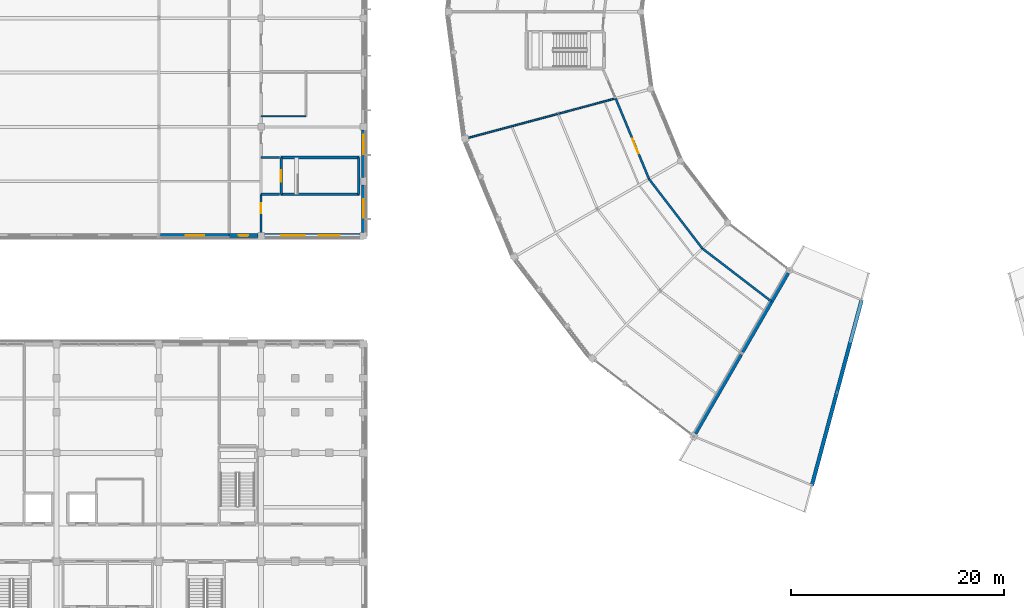
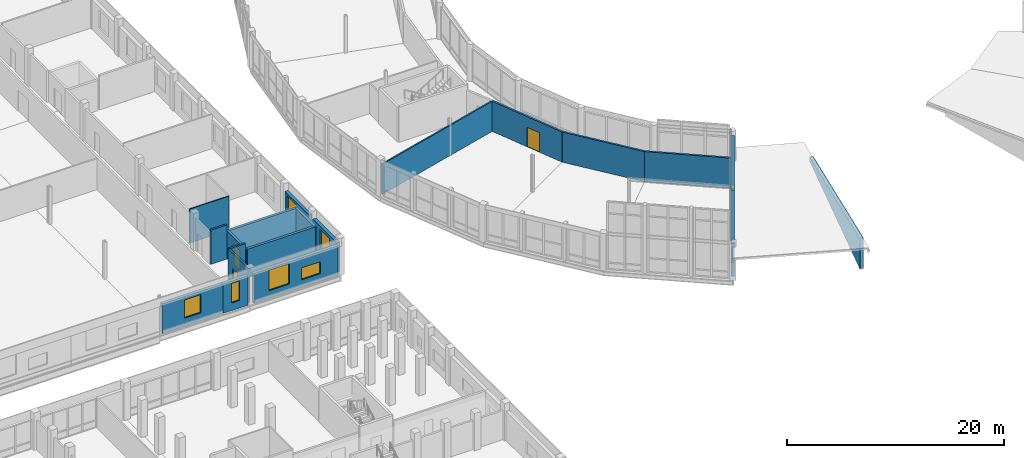
# One storey, part 158 of 185: 20 walls, 6 windows, 3 doors, 9 openings.
"""IFC4 building model written with IfcOpenShell, lengths in metres."""

from ifc_helpers import new_model, si_unit, direction, frame, frame_2d, origin, place, context, subcontext, project, spatial, polyline, rectangle, outline, extrude, material, layer, layer_set, type_object, element, fill, save


model = new_model("IFC4")

# Units and contexts
model_context = context("Model", 3, precision=1e-05, world=origin(), true_north=direction((0.0, 1.0)))
body_context = subcontext(model_context, "Body", "Model", "MODEL_VIEW")
ifc_project = project(units=[si_unit("LENGTHUNIT", "METRE"), si_unit("AREAUNIT", "SQUARE_METRE"), si_unit("VOLUMEUNIT", "CUBIC_METRE"), si_unit("PLANEANGLEUNIT", "RADIAN"), si_unit("MASSUNIT", "GRAM", prefix="KILO")], contexts=[model_context])

# Site, building, storey
site_placement = place(None, origin())
site = spatial("IfcSite", under=ifc_project, at=site_placement, CompositionType="ELEMENT")
building_placement = place(site_placement, origin())
building = spatial("IfcBuilding", under=site, at=building_placement, Name="Vondelvale Polytechnic", CompositionType="ELEMENT")
storey_placement = place(building_placement, frame((0.0, 0.0, 9.60009765625)))
storey = spatial("IfcBuildingStorey", under=building, at=storey_placement, Name="L02", CompositionType="ELEMENT", Elevation=9.60009765625)

# Wall, opening, window
ifc_material_1 = material(Name="Amsterdam School iron-spot clinker clay brickwork", Category="masonry")
ifc_layer_1 = layer(ifc_material_1, 0.35009765625)
ifc_layer_set_1 = layer_set([ifc_layer_1], Name="WL-BRICK-350")
wall_type_1 = type_object("IfcWallType", Name="WL-BRICK-350", PredefinedType="SOLIDWALL", material=ifc_layer_set_1)
wall_1_placement = place(storey_placement, frame((48.0, 55.7490234375, 0.0), z_axis=(0.0, 0.0, 1.0), x_axis=(0.0, -1.0, 0.0)))
wall_1 = element("IfcWall", 1, at=wall_1_placement, inside=storey, type_object=wall_type_1, Name="L02 exterior masonry facade wall", PredefinedType="SOLIDWALL", context=body_context, shape_type="SweptSolid", body=[
    extrude(rectangle(XDim=4.447998046875, YDim=0.35009765625, at=frame_2d((2.22412109375, 0.0))), origin(), (0.0, 0.0, 1.0), 3.31982421875),
])
opening_1_placement = place(wall_1_placement, frame((1.34912109375, 0.0, 0.949951171875)))
opening_1 = element("IfcOpeningElement", 2, at=opening_1_placement, cuts=wall_1, Name="Opening WN-0092", PredefinedType="OPENING", context=body_context, shape_type="SweptSolid", body=[
    extrude(rectangle(XDim=1.75, YDim=2.050048828125, at=frame_2d((0.875, 1.02490234375))), frame((0.0, 0.18505859375, 0.0), z_axis=(0.0, -1.0, 0.0), x_axis=(1.0, 0.0, 0.0)), (0.0, 0.0, 1.0), 0.3701171875),
])
ifc_material_2 = material(Name="Double-glazed low-E insulated architectural glass", Category="glass")
window_type_1 = type_object("IfcWindowType", Name="WN-LAB-1750x2050", PartitioningType="SINGLE_PANEL", PredefinedType="WINDOW", material=ifc_material_2)
window_1_placement = place(opening_1_placement, origin())
window_1 = element("IfcWindow", 3, at=window_1_placement, inside=storey, type_object=window_type_1, Name="L02 double-glazed architectural window WN-0092", OverallHeight=2.050048828125, OverallWidth=1.75, PartitioningType="SINGLE_PANEL", PredefinedType="WINDOW", context=body_context, shape_type="SweptSolid", body=[
    extrude(rectangle(XDim=1.75, YDim=2.050048828125, at=frame_2d((0.875, 1.02490234375))), frame((0.0, 0.030029296875, 0.0), z_axis=(0.0, -1.0, 0.0), x_axis=(1.0, 0.0, 0.0)), (0.0, 0.0, 1.0), 0.06005859375),
])
fill(opening_1, window_1)

wall_2_placement = place(storey_placement, frame((48.0, 60.89892578125, 0.0), z_axis=(0.0, 0.0, 1.0), x_axis=(0.0, -1.0, 0.0)))
wall_2 = element("IfcWall", 4, at=wall_2_placement, inside=storey, type_object=wall_type_1, Name="L02 exterior masonry facade wall", PredefinedType="SOLIDWALL", context=body_context, shape_type="SweptSolid", body=[
    extrude(rectangle(XDim=4.447998046875, YDim=0.35009765625, at=frame_2d((2.22412109375, 0.0))), origin(), (0.0, 0.0, 1.0), 3.31982421875),
])
opening_2_placement = place(wall_2_placement, frame((0.4541015625, 0.0, 0.949951171875)))
opening_2 = element("IfcOpeningElement", 5, at=opening_2_placement, cuts=wall_2, Name="Opening WN-0093", PredefinedType="OPENING", context=body_context, shape_type="SweptSolid", body=[
    extrude(rectangle(XDim=1.800048828125, YDim=2.10009765625, at=frame_2d((0.89990234375, 1.050048828125))), frame((0.0, 0.18505859375, 0.0), z_axis=(0.0, -1.0, 0.0), x_axis=(1.0, 0.0, 0.0)), (0.0, 0.0, 1.0), 0.3701171875),
])
window_type_2 = type_object("IfcWindowType", Name="WN-LAB-1800x2100", PartitioningType="SINGLE_PANEL", PredefinedType="WINDOW", material=ifc_material_2)
window_2_placement = place(opening_2_placement, origin())
window_2 = element("IfcWindow", 6, at=window_2_placement, inside=storey, type_object=window_type_2, Name="L02 double-glazed architectural window WN-0093", OverallHeight=2.10009765625, OverallWidth=1.800048828125, PartitioningType="SINGLE_PANEL", PredefinedType="WINDOW", context=body_context, shape_type="SweptSolid", body=[
    extrude(rectangle(XDim=1.800048828125, YDim=2.10009765625, at=frame_2d((0.89990234375, 1.050048828125))), frame((0.0, 0.030029296875, 0.0), z_axis=(0.0, -1.0, 0.0), x_axis=(1.0, 0.0, 0.0)), (0.0, 0.0, 1.0), 0.06005859375),
])
fill(opening_2, window_2)

wall_3_placement = place(storey_placement, frame((35.39990234375, 51.0, 0.0), z_axis=(0.0, 0.0, 1.0), x_axis=(-1.0, 0.0, 0.0)))
wall_3 = element("IfcWall", 7, at=wall_3_placement, inside=storey, type_object=wall_type_1, Name="L02 exterior masonry facade wall", PredefinedType="SOLIDWALL", context=body_context, shape_type="SweptSolid", body=[
    extrude(rectangle(XDim=6.435302734375, YDim=0.35009765625, at=frame_2d((3.2177734375, 0.0))), origin(), (0.0, 0.0, 1.0), 3.31982421875),
])
opening_3_placement = place(wall_3_placement, frame((2.3427734375, 0.0, 0.89990234375)))
opening_3 = element("IfcOpeningElement", 8, at=opening_3_placement, cuts=wall_3, Name="Opening WN-0112", PredefinedType="OPENING", context=body_context, shape_type="SweptSolid", body=[
    extrude(rectangle(XDim=1.75, YDim=2.050048828125, at=frame_2d((0.875, 1.02490234375))), frame((0.0, 0.18505859375, 0.0), z_axis=(0.0, -1.0, 0.0), x_axis=(1.0, 0.0, 0.0)), (0.0, 0.0, 1.0), 0.3701171875),
])
window_3_placement = place(opening_3_placement, origin())
window_3 = element("IfcWindow", 9, at=window_3_placement, inside=storey, type_object=window_type_1, Name="L02 double-glazed architectural window WN-0112", OverallHeight=2.050048828125, OverallWidth=1.75, PartitioningType="SINGLE_PANEL", PredefinedType="WINDOW", context=body_context, shape_type="SweptSolid", body=[
    extrude(rectangle(XDim=1.75, YDim=2.050048828125, at=frame_2d((0.875, 1.02490234375))), frame((0.0, 0.030029296875, 0.0), z_axis=(0.0, -1.0, 0.0), x_axis=(1.0, 0.0, 0.0)), (0.0, 0.0, 1.0), 0.06005859375),
])
fill(opening_3, window_3)

wall_4_placement = place(storey_placement, frame((38.09912109375, 51.0, 0.0), z_axis=(0.0, 0.0, 1.0), x_axis=(-1.0, 0.0, 0.0)))
wall_4 = element("IfcWall", 10, at=wall_4_placement, inside=storey, type_object=wall_type_1, Name="L02 exterior masonry facade wall", PredefinedType="SOLIDWALL", context=body_context, shape_type="SweptSolid", body=[
    extrude(rectangle(XDim=2.69921875, YDim=0.35009765625, at=frame_2d((1.349609375, 0.0))), origin(), (0.0, 0.0, 1.0), 3.31982421875),
])
opening_4_placement = place(wall_4_placement, frame((0.8994140625, 0.0, 0.85009765625)))
opening_4 = element("IfcOpeningElement", 11, at=opening_4_placement, cuts=wall_4, Name="Opening WN-0113", PredefinedType="OPENING", context=body_context, shape_type="SweptSolid", body=[
    extrude(rectangle(XDim=0.89990234375, YDim=2.199951171875, at=frame_2d((0.449951171875, 1.10009765625))), frame((0.0, 0.18505859375, 0.0), z_axis=(0.0, -1.0, 0.0), x_axis=(1.0, 0.0, 0.0)), (0.0, 0.0, 1.0), 0.3701171875),
])
window_type_3 = type_object("IfcWindowType", Name="WN-TUR-0900x2200", PartitioningType="SINGLE_PANEL", PredefinedType="WINDOW", material=ifc_material_2)
window_4_placement = place(opening_4_placement, origin())
window_4 = element("IfcWindow", 12, at=window_4_placement, inside=storey, type_object=window_type_3, Name="L02 double-glazed architectural window WN-0113", OverallHeight=2.199951171875, OverallWidth=0.89990234375, PartitioningType="SINGLE_PANEL", PredefinedType="WINDOW", context=body_context, shape_type="SweptSolid", body=[
    extrude(rectangle(XDim=0.89990234375, YDim=2.199951171875, at=frame_2d((0.449951171875, 1.10009765625))), frame((0.0, 0.030029296875, 0.0), z_axis=(0.0, -1.0, 0.0), x_axis=(1.0, 0.0, 0.0)), (0.0, 0.0, 1.0), 0.06005859375),
])
fill(opening_4, window_4)

# Wall, openings, windows
wall_5_placement = place(storey_placement, frame((47.698974609375, 51.0, 0.0), z_axis=(0.0, 0.0, 1.0), x_axis=(-1.0, 0.0, 0.0)))
wall_5 = element("IfcWall", 13, at=wall_5_placement, inside=storey, type_object=wall_type_1, Name="L02 exterior masonry facade wall", PredefinedType="SOLIDWALL", context=body_context, shape_type="SweptSolid", body=[
    extrude(rectangle(XDim=8.998046875, YDim=0.35009765625, at=frame_2d((4.4990234375, 0.0))), origin(), (0.0, 0.0, 1.0), 3.31982421875),
])
opening_5_placement = place(wall_5_placement, frame((5.197998046875, 0.0, 0.85009765625)))
opening_5 = element("IfcOpeningElement", 14, at=opening_5_placement, cuts=wall_5, Name="Opening WN-0114", PredefinedType="OPENING", context=body_context, shape_type="SweptSolid", body=[
    extrude(rectangle(XDim=2.199951171875, YDim=2.300048828125, at=frame_2d((1.10009765625, 1.14990234375))), frame((0.0, 0.18505859375, 0.0), z_axis=(0.0, -1.0, 0.0), x_axis=(1.0, 0.0, 0.0)), (0.0, 0.0, 1.0), 0.3701171875),
])
opening_6_placement = place(wall_5_placement, frame((1.89794921875, 0.0, 0.85009765625)))
opening_6 = element("IfcOpeningElement", 15, at=opening_6_placement, cuts=wall_5, Name="Opening WN-0115", PredefinedType="OPENING", context=body_context, shape_type="SweptSolid", body=[
    extrude(rectangle(XDim=2.0, YDim=1.35009765625, at=frame_2d((1.0, 0.675048828125))), frame((0.0, 0.18505859375, 0.0), z_axis=(0.0, -1.0, 0.0), x_axis=(1.0, 0.0, 0.0)), (0.0, 0.0, 1.0), 0.3701171875),
])
window_type_4 = type_object("IfcWindowType", Name="WN-RIB-2000x1350", PartitioningType="SINGLE_PANEL", PredefinedType="WINDOW", material=ifc_material_2)
window_5_placement = place(opening_6_placement, origin())
window_5 = element("IfcWindow", 16, at=window_5_placement, inside=storey, type_object=window_type_4, Name="L02 double-glazed architectural window WN-0115", OverallHeight=1.35009765625, OverallWidth=2.0, PartitioningType="SINGLE_PANEL", PredefinedType="WINDOW", context=body_context, shape_type="SweptSolid", body=[
    extrude(rectangle(XDim=2.0, YDim=1.35009765625, at=frame_2d((1.0, 0.675048828125))), frame((0.0, 0.030029296875, 0.0), z_axis=(0.0, -1.0, 0.0), x_axis=(1.0, 0.0, 0.0)), (0.0, 0.0, 1.0), 0.06005859375),
])
fill(opening_6, window_5)
window_type_5 = type_object("IfcWindowType", Name="WN-STUDIO-2200x2300", PartitioningType="SINGLE_PANEL", PredefinedType="WINDOW", material=ifc_material_2)
window_6_placement = place(opening_5_placement, origin())
window_6 = element("IfcWindow", 17, at=window_6_placement, inside=storey, type_object=window_type_5, Name="L02 double-glazed architectural window WN-0114", OverallHeight=2.300048828125, OverallWidth=2.199951171875, PartitioningType="SINGLE_PANEL", PredefinedType="WINDOW", context=body_context, shape_type="SweptSolid", body=[
    extrude(rectangle(XDim=2.199951171875, YDim=2.300048828125, at=frame_2d((1.10009765625, 1.14990234375))), frame((0.0, 0.030029296875, 0.0), z_axis=(0.0, -1.0, 0.0), x_axis=(1.0, 0.0, 0.0)), (0.0, 0.0, 1.0), 0.06005859375),
])
fill(opening_5, window_6)

# Walls
wall_6_placement = place(storey_placement, frame((79.150390625, 32.423583984375, 0.0), z_axis=(0.0, 0.0, 1.0), x_axis=(0.500025017116, 0.866010959664, 0.0)))
element("IfcWall", 18, at=wall_6_placement, inside=storey, type_object=wall_type_1, Name="L02 exterior masonry facade wall", PredefinedType="SOLIDWALL", context=body_context, shape_type="SweptSolid", body=[
    extrude(rectangle(XDim=8.56787109375, YDim=0.35009765625, at=frame_2d((4.283935546875, 0.0))), origin(), (0.0, 0.0, 1.0), 3.760009765625),
])
wall_7_placement = place(storey_placement, frame((83.5654296875, 40.070556640625, 0.0), z_axis=(0.0, 0.0, 1.0), x_axis=(0.500006065605, 0.866021901777, 0.0)))
element("IfcWall", 19, at=wall_7_placement, inside=storey, type_object=wall_type_1, Name="L02 exterior masonry facade wall", PredefinedType="SOLIDWALL", context=body_context, shape_type="SweptSolid", body=[
    extrude(rectangle(XDim=8.5693359375, YDim=0.35009765625, at=frame_2d((4.28466796875, 0.0))), origin(), (0.0, 0.0, 1.0), 3.760009765625),
])
wall_8_placement = place(storey_placement, frame((94.753173828125, 44.9541015625, 0.02001953125), z_axis=(0.0, 0.0, 1.0), x_axis=(-0.258828286985, -0.965923349887, 0.0)))
element("IfcWall", 20, at=wall_8_placement, inside=storey, type_object=wall_type_1, Name="Ring South entrance portal raking brick gable R17", PredefinedType="SOLIDWALL", context=body_context, shape_type="SweptSolid", body=[
    extrude(outline(polyline([(0.0, 0.0), (18.0, 0.0), (18.0, 3.451171875), (0.0, 0.503173828125), (0.0, 0.0)])), frame((0.0, 0.175048828125, 0.0), z_axis=(0.0, -1.0, 0.0), x_axis=(1.0, 0.0, 0.0)), (0.0, 0.0, 1.0), 0.35009765625),
])
ifc_material_3 = material(Name="Concrete N40 (f'c = 40 MPa)", Category="concrete")
ifc_layer_2 = layer(ifc_material_3, 0.25)
ifc_layer_set_2 = layer_set([ifc_layer_2], Name="WL-CORE-250")
wall_type_2 = type_object("IfcWallType", Name="WL-CORE-250", PredefinedType="SOLIDWALL", material=ifc_layer_set_2)
wall_9_placement = place(storey_placement, frame((40.27490234375, 54.875, 0.0), z_axis=(0.0, 0.0, 1.0), x_axis=(1.0, 0.0, 0.0)))
element("IfcWall", 21, at=wall_9_placement, inside=storey, type_object=wall_type_2, Name="L02 ST-01 reinforced concrete stair core wall", PredefinedType="SOLIDWALL", context=body_context, shape_type="SweptSolid", body=[
    extrude(rectangle(XDim=7.300048828125, YDim=0.25, at=frame_2d((3.64990234375, 0.0))), origin(), (0.0, 0.0, 1.0), 3.14990234375),
])
wall_10_placement = place(storey_placement, frame((47.574951171875, 54.875, 0.0), z_axis=(0.0, 0.0, 1.0), x_axis=(0.0, 1.0, 0.0)))
element("IfcWall", 22, at=wall_10_placement, inside=storey, type_object=wall_type_2, Name="L02 ST-01 reinforced concrete stair core wall", PredefinedType="SOLIDWALL", context=body_context, shape_type="SweptSolid", body=[
    extrude(rectangle(XDim=3.449951171875, YDim=0.25, at=frame_2d((1.72509765625, 0.0))), origin(), (0.0, 0.0, 1.0), 3.14990234375),
])
wall_11_placement = place(storey_placement, frame((47.574951171875, 58.324951171875, 0.0), z_axis=(0.0, 0.0, 1.0), x_axis=(-1.0, 0.0, 0.0)))
element("IfcWall", 23, at=wall_11_placement, inside=storey, type_object=wall_type_2, Name="L02 ST-01 reinforced concrete stair core wall", PredefinedType="SOLIDWALL", context=body_context, shape_type="SweptSolid", body=[
    extrude(rectangle(XDim=7.300048828125, YDim=0.25, at=frame_2d((3.64990234375, 0.0))), origin(), (0.0, 0.0, 1.0), 3.14990234375),
])

# Wall, opening, door
wall_12_placement = place(storey_placement, frame((40.27490234375, 58.324951171875, 0.0), z_axis=(0.0, 0.0, 1.0), x_axis=(0.0, -1.0, 0.0)))
wall_12 = element("IfcWall", 24, at=wall_12_placement, inside=storey, type_object=wall_type_2, Name="L02 ST-01 reinforced concrete stair core wall", PredefinedType="SOLIDWALL", context=body_context, shape_type="SweptSolid", body=[
    extrude(rectangle(XDim=3.449951171875, YDim=0.25, at=frame_2d((1.72509765625, 0.0))), origin(), (0.0, 0.0, 1.0), 3.14990234375),
])
opening_7_placement = place(wall_12_placement, frame((1.175048828125, 0.0, 0.0)))
opening_7 = element("IfcOpeningElement", 25, at=opening_7_placement, cuts=wall_12, Name="Opening SD-004", PredefinedType="OPENING", context=body_context, shape_type="SweptSolid", body=[
    extrude(rectangle(XDim=1.10009765625, YDim=2.199951171875, at=frame_2d((0.550048828125, 1.10009765625))), frame((0.0, 0.135009765625, 0.0), z_axis=(0.0, -1.0, 0.0), x_axis=(1.0, 0.0, 0.0)), (0.0, 0.0, 1.0), 0.27001953125),
])
ifc_material_4 = material(Name="Brushed architectural stainless and zinc-coated metal")
door_type_1 = type_object("IfcDoorType", Name="DR-STAIR-1100x2200", OperationType="SINGLE_SWING_LEFT", PredefinedType="DOOR", material=ifc_material_4)
door_1_placement = place(opening_7_placement, origin())
door_1 = element("IfcDoor", 26, at=door_1_placement, inside=storey, type_object=door_type_1, Name="L02 ST-01 fire-isolated stair door", OperationType="SINGLE_SWING_RIGHT", OverallHeight=2.199951171875, OverallWidth=1.10009765625, PredefinedType="DOOR", context=body_context, shape_type="SweptSolid", body=[
    extrude(rectangle(XDim=1.10009765625, YDim=2.199951171875, at=frame_2d((0.550048828125, 1.10009765625))), frame((0.0, 0.02490234375, 0.0), z_axis=(0.0, -1.0, 0.0), x_axis=(1.0, 0.0, 0.0)), (0.0, 0.0, 1.0), 0.050048828125),
])
fill(opening_7, door_1)

ifc_material_5 = material(Name="Fire-rated double-layer plasterboard stud partition")
ifc_layer_3 = layer(ifc_material_5, 0.199951171875)
ifc_layer_set_3 = layer_set([ifc_layer_3], Name="WL-CORR-200")
wall_type_3 = type_object("IfcWallType", Name="WL-CORR-200", PredefinedType="PARTITIONING", material=ifc_layer_set_3)
wall_13_placement = place(storey_placement, frame((38.39990234375, 51.14990234375, 0.0), z_axis=(0.0, 0.0, 1.0), x_axis=(0.0, 1.0, 0.0)))
wall_13 = element("IfcWall", 27, at=wall_13_placement, inside=storey, type_object=wall_type_3, Name="L02 interior acoustic partition", PredefinedType="PARTITIONING", context=body_context, shape_type="SweptSolid", body=[
    extrude(rectangle(XDim=3.72509765625, YDim=0.199951171875, at=frame_2d((1.862548828125, 0.0))), origin(), (0.0, 0.0, 1.0), 3.849853515625),
])
opening_8_placement = place(wall_13_placement, frame((1.949951171875, 0.0, 0.0)))
opening_8 = element("IfcOpeningElement", 28, at=opening_8_placement, cuts=wall_13, Name="Opening ID-0120", PredefinedType="OPENING", context=body_context, shape_type="SweptSolid", body=[
    extrude(rectangle(XDim=0.919921875, YDim=2.10009765625, at=frame_2d((0.4599609375, 1.050048828125))), frame((0.0, 0.10986328125, 0.0), z_axis=(0.0, -1.0, 0.0), x_axis=(1.0, 0.0, 0.0)), (0.0, 0.0, 1.0), 0.219970703125),
])
ifc_material_6 = material(Name="Fire-rated solid Tasmanian oak joinery")
door_type_2 = type_object("IfcDoorType", Name="DR-INT-0920x2100", OperationType="SINGLE_SWING_LEFT", PredefinedType="DOOR", material=ifc_material_6)
door_2_placement = place(opening_8_placement, origin())
door_2 = element("IfcDoor", 29, at=door_2_placement, inside=storey, type_object=door_type_2, Name="L02 interior room door ID-0120", OperationType="SINGLE_SWING_RIGHT", OverallHeight=2.10009765625, OverallWidth=0.919921875, PredefinedType="DOOR", context=body_context, shape_type="SweptSolid", body=[
    extrude(rectangle(XDim=0.919921875, YDim=2.10009765625, at=frame_2d((0.4599609375, 1.050048828125))), frame((0.0, 0.02490234375, 0.0), z_axis=(0.0, -1.0, 0.0), x_axis=(1.0, 0.0, 0.0)), (0.0, 0.0, 1.0), 0.050048828125),
])
fill(opening_8, door_2)

# Walls
for number, where, z_axis, x_axis, name in (
    (30, (38.39990234375, 54.875, 0.0), (0.0, 0.0, 1.0), (1.0, 0.0, 0.0), "L02 interior acoustic partition"),
    (31, (38.39990234375, 58.324951171875, 0.0), (0.0, 0.0, 1.0), (1.0, 0.0, 0.0), "L02 interior acoustic partition"),
):
    element("IfcWall", number, at=place(storey_placement, frame(where, z_axis=z_axis, x_axis=x_axis)), inside=storey, type_object=wall_type_3, Name=name, PredefinedType="PARTITIONING", context=body_context, shape_type="SweptSolid", body=[
        extrude(rectangle(XDim=1.710205078125, YDim=0.199951171875, at=frame_2d((0.85498046875, 0.0))), origin(), (0.0, 0.0, 1.0), 3.849853515625),
    ])

# Wall, opening, door
wall_14_placement = place(storey_placement, frame((71.669921875, 63.873046875, 0.0), z_axis=(0.0, 0.0, 1.0), x_axis=(0.382696385238, -0.923874167149, 0.0)))
wall_14 = element("IfcWall", 32, at=wall_14_placement, inside=storey, type_object=wall_type_3, Name="L02 interior acoustic partition", PredefinedType="PARTITIONING", context=body_context, shape_type="SweptSolid", body=[
    extrude(rectangle(XDim=8.197021484375, YDim=0.199951171875, at=frame_2d((4.0986328125, 0.0))), origin(), (0.0, 0.0, 1.0), 3.40185546875),
])
opening_9_placement = place(wall_14_placement, frame((4.10009765625, 0.0, 0.0)))
opening_9 = element("IfcOpeningElement", 33, at=opening_9_placement, cuts=wall_14, Name="Opening ID-0341", PredefinedType="OPENING", context=body_context, shape_type="SweptSolid", body=[
    extrude(rectangle(XDim=1.5, YDim=2.199951171875, at=frame_2d((0.75, 1.10009765625))), frame((0.0, 0.10986328125, 0.0), z_axis=(0.0, -1.0, 0.0), x_axis=(1.0, 0.0, 0.0)), (0.0, 0.0, 1.0), 0.219970703125),
])
door_type_3 = type_object("IfcDoorType", Name="DR-LAB-1500x2200", OperationType="DOUBLE_DOOR_SINGLE_SWING", PredefinedType="DOOR", material=ifc_material_6)
door_3_placement = place(opening_9_placement, origin())
door_3 = element("IfcDoor", 34, at=door_3_placement, inside=storey, type_object=door_type_3, Name="L02 interior room door ID-0341", OperationType="DOUBLE_DOOR_SINGLE_SWING", OverallHeight=2.199951171875, OverallWidth=1.5, PredefinedType="DOOR", context=body_context, shape_type="SweptSolid", body=[
    extrude(rectangle(XDim=1.5, YDim=2.199951171875, at=frame_2d((0.75, 1.10009765625))), frame((0.0, 0.02490234375, 0.0), z_axis=(0.0, -1.0, 0.0), x_axis=(1.0, 0.0, 0.0)), (0.0, 0.0, 1.0), 0.050048828125),
])
fill(opening_9, door_3)

# Walls
for number, where, z_axis, x_axis, name in (
    (35, (74.806884765625, 56.300048828125, 0.0), (0.0, 0.0, 1.0), (0.608756011694, -0.793357497113, 0.0), "L02 interior acoustic partition"),
    (36, (79.796875, 49.796875, 0.0), (0.0, 0.0, 1.0), (0.793357497113, -0.608756011694, 0.0), "L02 interior acoustic partition"),
):
    element("IfcWall", number, at=place(storey_placement, frame(where, z_axis=z_axis, x_axis=x_axis)), inside=storey, type_object=wall_type_3, Name=name, PredefinedType="PARTITIONING", context=body_context, shape_type="SweptSolid", body=[
        extrude(rectangle(XDim=8.197021484375, YDim=0.199951171875, at=frame_2d((4.0986328125, 0.0))), origin(), (0.0, 0.0, 1.0), 3.40185546875),
    ])
ifc_layer_4 = layer(ifc_material_5, 0.1201171875)
ifc_layer_set_4 = layer_set([ifc_layer_4], Name="WL-INT-120")
wall_type_4 = type_object("IfcWallType", Name="WL-INT-120", PredefinedType="PARTITIONING", material=ifc_layer_set_4)
wall_15_placement = place(storey_placement, frame((38.39990234375, 62.199951171875, 0.0), z_axis=(0.0, 0.0, 1.0), x_axis=(1.0, 0.0, 0.0)))
element("IfcWall", 37, at=wall_15_placement, inside=storey, type_object=wall_type_4, Name="L02 interior acoustic partition", PredefinedType="PARTITIONING", context=body_context, shape_type="SweptSolid", body=[
    extrude(rectangle(XDim=4.2001953125, YDim=0.1201171875, at=frame_2d((2.10009765625, 0.0))), origin(), (0.0, 0.0, 1.0), 3.849853515625),
])
ifc_layer_5 = layer(ifc_material_5, 0.14990234375)
ifc_layer_set_5 = layer_set([ifc_layer_5], Name="WL-INT-150")
wall_type_5 = type_object("IfcWallType", Name="WL-INT-150", PredefinedType="PARTITIONING", material=ifc_layer_set_5)
wall_16_placement = place(storey_placement, frame((71.669921875, 63.873046875, 0.0), z_axis=(0.0, 0.0, 1.0), x_axis=(-0.965928107853, -0.258810530041, 0.0)))
element("IfcWall", 38, at=wall_16_placement, inside=storey, type_object=wall_type_5, Name="L02 interior acoustic partition", PredefinedType="PARTITIONING", context=body_context, shape_type="SweptSolid", body=[
    extrude(rectangle(XDim=14.47998046875, YDim=0.14990234375, at=frame_2d((7.239990234375, 0.0))), origin(), (0.0, 0.0, 1.0), 3.39697265625),
])

save(model, "model.ifc")
